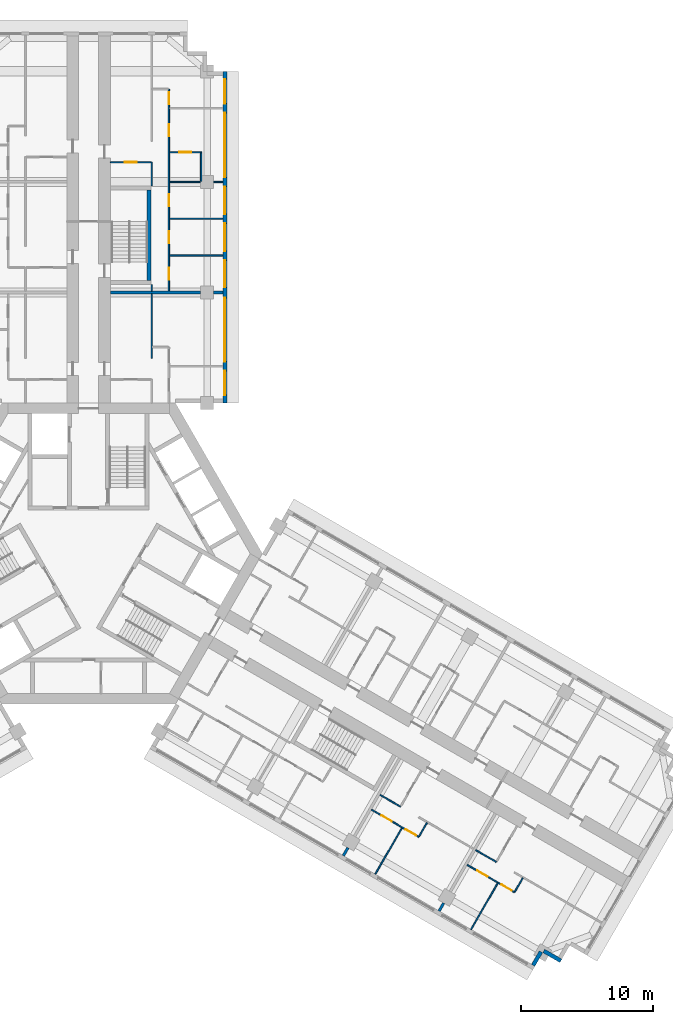
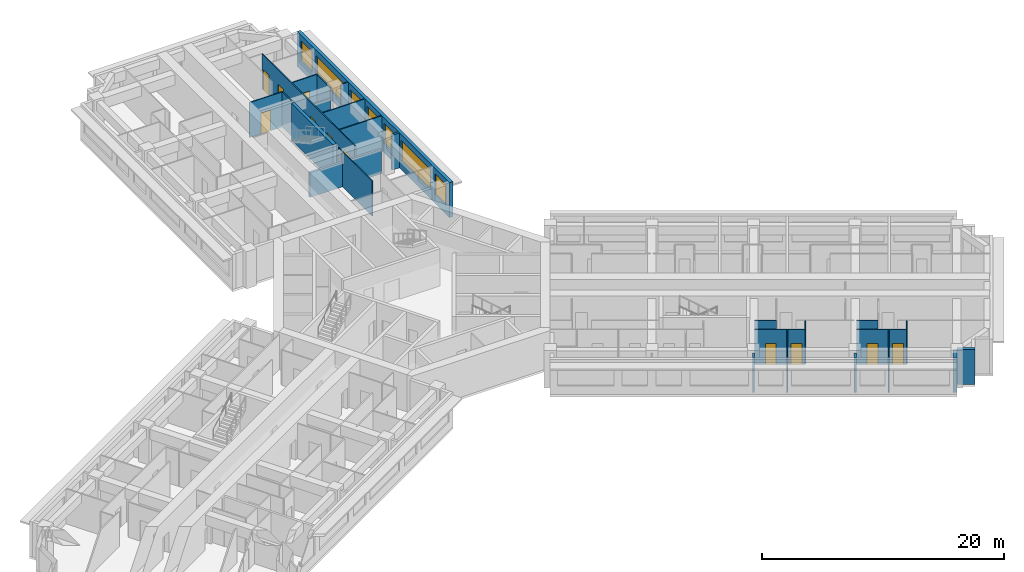
# One storey, part 10 of 14: 27 walls, 11 doors, 7 windows, 18 openings.
"""IFC4 building model written with IfcOpenShell, lengths in metres."""

from ifc_helpers import new_model, si_unit, direction, frame, frame_2d, origin, place, context, subcontext, project, spatial, rectangle, extrude, material, layer, layer_set, type_object, element, fill, save


model = new_model("IFC4")

# Units and contexts
model_context = context("Model", 3, precision=1e-05, world=origin(), true_north=direction((0.0, 1.0)))
body_context = subcontext(model_context, "Body", "Model", "MODEL_VIEW")
ifc_project = project(units=[si_unit("LENGTHUNIT", "METRE"), si_unit("AREAUNIT", "SQUARE_METRE"), si_unit("VOLUMEUNIT", "CUBIC_METRE"), si_unit("PLANEANGLEUNIT", "RADIAN"), si_unit("MASSUNIT", "GRAM", prefix="KILO")], contexts=[model_context])

# Site, building, storey
site_placement = place(None, origin())
site = spatial("IfcSite", under=ifc_project, at=site_placement, CompositionType="ELEMENT")
building_placement = place(site_placement, origin())
building = spatial("IfcBuilding", under=site, at=building_placement, Name="Impinga Residences", CompositionType="ELEMENT")
storey_placement = place(building_placement, frame((0.0, 0.0, 117.25)))
storey = spatial("IfcBuildingStorey", under=building, at=storey_placement, Name="L28", CompositionType="ELEMENT", Elevation=117.25)

# Wall, openings, windows
ifc_material_1 = material(Name="Terracotta rainscreen on blockwork", Category="masonry")
ifc_layer_1 = layer(ifc_material_1, 0.300048828125)
ifc_layer_set_1 = layer_set([ifc_layer_1], Name="EW1 external wall, terracotta rainscreen on blockwork 300")
wall_type_1 = type_object("IfcWallType", Name="EW1 external wall, terracotta rainscreen on blockwork 300", PredefinedType="SOLIDWALL", material=ifc_layer_set_1)
wall_1_placement = place(storey_placement, frame((10.35009765625, 36.631591796875, 0.0), z_axis=(0.0, 0.0, 1.0), x_axis=(0.0, -1.0, 0.0)))
wall_1 = element("IfcWall", 1, at=wall_1_placement, inside=storey, type_object=wall_type_1, Name="External wall EW1 L28", PredefinedType="SOLIDWALL", context=body_context, shape_type="SweptSolid", body=[
    extrude(rectangle(XDim=25.199951171875, YDim=0.300048828125, at=frame_2d((12.60009765625, 0.0))), origin(), (0.0, 0.0, 1.0), 3.530029296875),
])
opening_1_placement = place(wall_1_placement, frame((0.60009765625, 0.0, 0.89990234375)))
opening_1 = element("IfcOpeningElement", 2, at=opening_1_placement, cuts=wall_1, Name="Opening W15", PredefinedType="OPENING", context=body_context, shape_type="SweptSolid", body=[
    extrude(rectangle(XDim=1.85009765625, YDim=2.050048828125, at=frame_2d((0.925048828125, 1.02490234375))), frame((0.0, 0.159912109375, 0.0), z_axis=(0.0, -1.0, 0.0), x_axis=(1.0, 0.0, 0.0)), (0.0, 0.0, 1.0), 0.320068359375),
])
opening_2_placement = place(wall_1_placement, frame((3.14990234375, 0.0, 0.89990234375)))
opening_2 = element("IfcOpeningElement", 3, at=opening_2_placement, cuts=wall_1, Name="Opening W16", PredefinedType="OPENING", context=body_context, shape_type="SweptSolid", body=[
    extrude(rectangle(XDim=4.89990234375, YDim=2.050048828125, at=frame_2d((2.449951171875, 1.02490234375))), frame((0.0, 0.159912109375, 0.0), z_axis=(0.0, -1.0, 0.0), x_axis=(1.0, 0.0, 0.0)), (0.0, 0.0, 1.0), 0.320068359375),
])
opening_3_placement = place(wall_1_placement, frame((8.75, 0.0, 0.89990234375)))
opening_3 = element("IfcOpeningElement", 4, at=opening_3_placement, cuts=wall_1, Name="Opening W9", PredefinedType="OPENING", context=body_context, shape_type="SweptSolid", body=[
    extrude(rectangle(XDim=2.10009765625, YDim=2.050048828125, at=frame_2d((1.050048828125, 1.02490234375))), frame((0.0, 0.159912109375, 0.0), z_axis=(0.0, -1.0, 0.0), x_axis=(1.0, 0.0, 0.0)), (0.0, 0.0, 1.0), 0.320068359375),
])
opening_4_placement = place(wall_1_placement, frame((11.550048828125, 0.0, 0.89990234375)))
opening_4 = element("IfcOpeningElement", 5, at=opening_4_placement, cuts=wall_1, Name="Opening W9", PredefinedType="OPENING", context=body_context, shape_type="SweptSolid", body=[
    extrude(rectangle(XDim=2.10009765625, YDim=2.050048828125, at=frame_2d((1.050048828125, 1.02490234375))), frame((0.0, 0.159912109375, 0.0), z_axis=(0.0, -1.0, 0.0), x_axis=(1.0, 0.0, 0.0)), (0.0, 0.0, 1.0), 0.320068359375),
])
opening_5_placement = place(wall_1_placement, frame((14.35009765625, 0.0, 0.89990234375)))
opening_5 = element("IfcOpeningElement", 6, at=opening_5_placement, cuts=wall_1, Name="Opening W14", PredefinedType="OPENING", context=body_context, shape_type="SweptSolid", body=[
    extrude(rectangle(XDim=2.050048828125, YDim=2.050048828125, at=frame_2d((1.02490234375, 1.02490234375))), frame((0.0, 0.159912109375, 0.0), z_axis=(0.0, -1.0, 0.0), x_axis=(1.0, 0.0, 0.0)), (0.0, 0.0, 1.0), 0.320068359375),
])
opening_6_placement = place(wall_1_placement, frame((17.199951171875, 0.0, 0.89990234375)))
opening_6 = element("IfcOpeningElement", 7, at=opening_6_placement, cuts=wall_1, Name="Opening W6", PredefinedType="OPENING", context=body_context, shape_type="SweptSolid", body=[
    extrude(rectangle(XDim=4.85009765625, YDim=2.050048828125, at=frame_2d((2.425048828125, 1.02490234375))), frame((0.0, 0.159912109375, 0.0), z_axis=(0.0, -1.0, 0.0), x_axis=(1.0, 0.0, 0.0)), (0.0, 0.0, 1.0), 0.320068359375),
])
opening_7_placement = place(wall_1_placement, frame((22.75, 0.0, 0.89990234375)))
opening_7 = element("IfcOpeningElement", 8, at=opening_7_placement, cuts=wall_1, Name="Opening W15", PredefinedType="OPENING", context=body_context, shape_type="SweptSolid", body=[
    extrude(rectangle(XDim=1.85009765625, YDim=2.050048828125, at=frame_2d((0.925048828125, 1.02490234375))), frame((0.0, 0.159912109375, 0.0), z_axis=(0.0, -1.0, 0.0), x_axis=(1.0, 0.0, 0.0)), (0.0, 0.0, 1.0), 0.320068359375),
])
ifc_material_2 = material(Name="Aluminium window, clear double glazing", Category="aluminium")
window_type_1 = type_object("IfcWindowType", Name="W14 ribbon window 2050x2050", PartitioningType="SINGLE_PANEL", PredefinedType="WINDOW", material=ifc_material_2)
window_1_placement = place(opening_5_placement, origin())
window_1 = element("IfcWindow", 9, at=window_1_placement, inside=storey, type_object=window_type_1, Name="Window L28", OverallHeight=2.050048828125, OverallWidth=2.050048828125, PartitioningType="SINGLE_PANEL", PredefinedType="WINDOW", context=body_context, shape_type="SweptSolid", body=[
    extrude(rectangle(XDim=2.050048828125, YDim=2.050048828125, at=frame_2d((1.02490234375, 1.02490234375))), frame((0.0, 0.030029296875, 0.0), z_axis=(0.0, -1.0, 0.0), x_axis=(1.0, 0.0, 0.0)), (0.0, 0.0, 1.0), 0.06005859375),
])
fill(opening_5, window_1)
window_type_2 = type_object("IfcWindowType", Name="W15 ribbon window 1850x2050", PartitioningType="SINGLE_PANEL", PredefinedType="WINDOW", material=ifc_material_2)
window_2_placement = place(opening_1_placement, origin())
window_2 = element("IfcWindow", 10, at=window_2_placement, inside=storey, type_object=window_type_2, Name="Window L28", OverallHeight=2.050048828125, OverallWidth=1.85009765625, PartitioningType="SINGLE_PANEL", PredefinedType="WINDOW", context=body_context, shape_type="SweptSolid", body=[
    extrude(rectangle(XDim=1.85009765625, YDim=2.050048828125, at=frame_2d((0.925048828125, 1.02490234375))), frame((0.0, 0.030029296875, 0.0), z_axis=(0.0, -1.0, 0.0), x_axis=(1.0, 0.0, 0.0)), (0.0, 0.0, 1.0), 0.06005859375),
])
fill(opening_1, window_2)
window_3_placement = place(opening_7_placement, origin())
window_3 = element("IfcWindow", 11, at=window_3_placement, inside=storey, type_object=window_type_2, Name="Window L28", OverallHeight=2.050048828125, OverallWidth=1.85009765625, PartitioningType="SINGLE_PANEL", PredefinedType="WINDOW", context=body_context, shape_type="SweptSolid", body=[
    extrude(rectangle(XDim=1.85009765625, YDim=2.050048828125, at=frame_2d((0.925048828125, 1.02490234375))), frame((0.0, 0.030029296875, 0.0), z_axis=(0.0, -1.0, 0.0), x_axis=(1.0, 0.0, 0.0)), (0.0, 0.0, 1.0), 0.06005859375),
])
fill(opening_7, window_3)
window_type_3 = type_object("IfcWindowType", Name="W16 ribbon window 4900x2050", PartitioningType="SINGLE_PANEL", PredefinedType="WINDOW", material=ifc_material_2)
window_4_placement = place(opening_2_placement, origin())
window_4 = element("IfcWindow", 12, at=window_4_placement, inside=storey, type_object=window_type_3, Name="Window L28", OverallHeight=2.050048828125, OverallWidth=4.89990234375, PartitioningType="SINGLE_PANEL", PredefinedType="WINDOW", context=body_context, shape_type="SweptSolid", body=[
    extrude(rectangle(XDim=4.89990234375, YDim=2.050048828125, at=frame_2d((2.449951171875, 1.02490234375))), frame((0.0, 0.030029296875, 0.0), z_axis=(0.0, -1.0, 0.0), x_axis=(1.0, 0.0, 0.0)), (0.0, 0.0, 1.0), 0.06005859375),
])
fill(opening_2, window_4)
window_type_4 = type_object("IfcWindowType", Name="W6 ribbon window 4850x2050", PartitioningType="SINGLE_PANEL", PredefinedType="WINDOW", material=ifc_material_2)
window_5_placement = place(opening_6_placement, origin())
window_5 = element("IfcWindow", 13, at=window_5_placement, inside=storey, type_object=window_type_4, Name="Window L28", OverallHeight=2.050048828125, OverallWidth=4.85009765625, PartitioningType="SINGLE_PANEL", PredefinedType="WINDOW", context=body_context, shape_type="SweptSolid", body=[
    extrude(rectangle(XDim=4.85009765625, YDim=2.050048828125, at=frame_2d((2.425048828125, 1.02490234375))), frame((0.0, 0.030029296875, 0.0), z_axis=(0.0, -1.0, 0.0), x_axis=(1.0, 0.0, 0.0)), (0.0, 0.0, 1.0), 0.06005859375),
])
fill(opening_6, window_5)
window_type_5 = type_object("IfcWindowType", Name="W9 ribbon window 2100x2050", PartitioningType="SINGLE_PANEL", PredefinedType="WINDOW", material=ifc_material_2)
window_6_placement = place(opening_3_placement, origin())
window_6 = element("IfcWindow", 14, at=window_6_placement, inside=storey, type_object=window_type_5, Name="Window L28", OverallHeight=2.050048828125, OverallWidth=2.10009765625, PartitioningType="SINGLE_PANEL", PredefinedType="WINDOW", context=body_context, shape_type="SweptSolid", body=[
    extrude(rectangle(XDim=2.10009765625, YDim=2.050048828125, at=frame_2d((1.050048828125, 1.02490234375))), frame((0.0, 0.030029296875, 0.0), z_axis=(0.0, -1.0, 0.0), x_axis=(1.0, 0.0, 0.0)), (0.0, 0.0, 1.0), 0.06005859375),
])
fill(opening_3, window_6)
window_7_placement = place(opening_4_placement, origin())
window_7 = element("IfcWindow", 15, at=window_7_placement, inside=storey, type_object=window_type_5, Name="Window L28", OverallHeight=2.050048828125, OverallWidth=2.10009765625, PartitioningType="SINGLE_PANEL", PredefinedType="WINDOW", context=body_context, shape_type="SweptSolid", body=[
    extrude(rectangle(XDim=2.10009765625, YDim=2.050048828125, at=frame_2d((1.050048828125, 1.02490234375))), frame((0.0, 0.030029296875, 0.0), z_axis=(0.0, -1.0, 0.0), x_axis=(1.0, 0.0, 0.0)), (0.0, 0.0, 1.0), 0.06005859375),
])
fill(opening_4, window_7)

# Walls
wall_2_placement = place(storey_placement, frame((35.87255859375, -30.93017578125, 0.0), z_axis=(0.0, 0.0, 1.0), x_axis=(-0.866031096941, 0.499990139034, 0.0)))
element("IfcWall", 16, at=wall_2_placement, inside=storey, type_object=wall_type_1, Name="External wall EW1 L28", PredefinedType="SOLIDWALL", context=body_context, shape_type="SweptSolid", body=[
    extrude(rectangle(XDim=1.5, YDim=0.300048828125, at=frame_2d((0.75, 0.0))), origin(), (0.0, 0.0, 1.0), 3.530029296875),
])
wall_3_placement = place(storey_placement, frame((34.365966796875, -30.2392578125, 0.0), z_axis=(0.0, 0.0, 1.0), x_axis=(-0.499940577336, -0.866059708757, 0.0)))
element("IfcWall", 17, at=wall_3_placement, inside=storey, type_object=wall_type_1, Name="External wall EW1 L28", PredefinedType="SOLIDWALL", context=body_context, shape_type="SweptSolid", body=[
    extrude(rectangle(XDim=1.195068359375, YDim=0.300048828125, at=frame_2d((0.59765625, 0.0))), origin(), (0.0, 0.0, 1.0), 3.530029296875),
])
ifc_material_3 = material(Name="Gypsum board on steel studs", Category="steel")
ifc_layer_2 = layer(ifc_material_3, 0.10009765625)
ifc_layer_set_2 = layer_set([ifc_layer_2], Name="Gypsum board on steel studs")
wall_type_2 = type_object("IfcWallType", Name="IP1 partition 100", PredefinedType="PARTITIONING", material=ifc_layer_set_2)
wall_4_placement = place(storey_placement, frame((4.800048828125, 14.83154296875, 0.0), z_axis=(0.0, 0.0, 1.0), x_axis=(0.0, 1.0, 0.0)))
element("IfcWall", 18, at=wall_4_placement, inside=storey, type_object=wall_type_2, Name="Partition L28-NF1:DIV1", PredefinedType="PARTITIONING", context=body_context, shape_type="SweptSolid", body=[
    extrude(rectangle(XDim=4.89990234375, YDim=0.10009765625, at=frame_2d((2.449951171875, 0.0))), origin(), (0.0, 0.0, 1.0), 3.530029296875),
])
wall_5_placement = place(storey_placement, frame((4.800048828125, 19.931640625, 0.0), z_axis=(0.0, 0.0, 1.0), x_axis=(0.0, 1.0, 0.0)))
element("IfcWall", 19, at=wall_5_placement, inside=storey, type_object=wall_type_2, Name="Partition L28-NF2:DIV0", PredefinedType="PARTITIONING", context=body_context, shape_type="SweptSolid", body=[
    extrude(rectangle(XDim=0.5, YDim=0.10009765625, at=frame_2d((0.25, 0.0))), origin(), (0.0, 0.0, 1.0), 3.530029296875),
])
wall_6_placement = place(storey_placement, frame((4.800048828125, 27.931640625, 0.0), z_axis=(0.0, 0.0, 1.0), x_axis=(0.0, 1.0, 0.0)))
element("IfcWall", 20, at=wall_6_placement, inside=storey, type_object=wall_type_2, Name="Partition L28-NF2:DIV1", PredefinedType="PARTITIONING", context=body_context, shape_type="SweptSolid", body=[
    extrude(rectangle(XDim=1.7998046875, YDim=0.10009765625, at=frame_2d((0.89990234375, 0.0))), origin(), (0.0, 0.0, 1.0), 3.530029296875),
])

# Wall, openings, doors
wall_7_placement = place(storey_placement, frame((6.10009765625, 19.931640625, 0.0), z_axis=(0.0, 0.0, 1.0), x_axis=(0.0, 1.0, 0.0)))
wall_7 = element("IfcWall", 21, at=wall_7_placement, inside=storey, type_object=wall_type_2, Name="Partition L28-NF2:STRIP", PredefinedType="PARTITIONING", context=body_context, shape_type="SweptSolid", body=[
    extrude(rectangle(XDim=15.349853515625, YDim=0.10009765625, at=frame_2d((7.6748046875, 0.0))), origin(), (0.0, 0.0, 1.0), 3.530029296875),
])
opening_8_placement = place(wall_7_placement, frame((0.875, 0.0, 0.0)))
opening_8 = element("IfcOpeningElement", 22, at=opening_8_placement, cuts=wall_7, Name="Opening D2", PredefinedType="OPENING", context=body_context, shape_type="SweptSolid", body=[
    extrude(rectangle(XDim=0.89990234375, YDim=2.10009765625, at=frame_2d((0.449951171875, 1.050048828125))), frame((0.0, 0.06005859375, 0.0), z_axis=(0.0, -1.0, 0.0), x_axis=(1.0, 0.0, 0.0)), (0.0, 0.0, 1.0), 0.1201171875),
])
opening_9_placement = place(wall_7_placement, frame((3.64990234375, 0.0, 0.0)))
opening_9 = element("IfcOpeningElement", 23, at=opening_9_placement, cuts=wall_7, Name="Opening D2", PredefinedType="OPENING", context=body_context, shape_type="SweptSolid", body=[
    extrude(rectangle(XDim=0.89990234375, YDim=2.10009765625, at=frame_2d((0.449951171875, 1.050048828125))), frame((0.0, 0.06005859375, 0.0), z_axis=(0.0, -1.0, 0.0), x_axis=(1.0, 0.0, 0.0)), (0.0, 0.0, 1.0), 0.1201171875),
])
opening_10_placement = place(wall_7_placement, frame((6.449951171875, 0.0, 0.0)))
opening_10 = element("IfcOpeningElement", 24, at=opening_10_placement, cuts=wall_7, Name="Opening D2", PredefinedType="OPENING", context=body_context, shape_type="SweptSolid", body=[
    extrude(rectangle(XDim=0.89990234375, YDim=2.10009765625, at=frame_2d((0.449951171875, 1.050048828125))), frame((0.0, 0.06005859375, 0.0), z_axis=(0.0, -1.0, 0.0), x_axis=(1.0, 0.0, 0.0)), (0.0, 0.0, 1.0), 0.1201171875),
])
opening_11_placement = place(wall_7_placement, frame((11.77490234375, 0.0, 0.0)))
opening_11 = element("IfcOpeningElement", 25, at=opening_11_placement, cuts=wall_7, Name="Opening D2", PredefinedType="OPENING", context=body_context, shape_type="SweptSolid", body=[
    extrude(rectangle(XDim=0.89990234375, YDim=2.10009765625, at=frame_2d((0.449951171875, 1.050048828125))), frame((0.0, 0.06005859375, 0.0), z_axis=(0.0, -1.0, 0.0), x_axis=(1.0, 0.0, 0.0)), (0.0, 0.0, 1.0), 0.1201171875),
])
opening_12_placement = place(wall_7_placement, frame((14.199951171875, 0.0, 0.0)))
opening_12 = element("IfcOpeningElement", 26, at=opening_12_placement, cuts=wall_7, Name="Opening D2", PredefinedType="OPENING", context=body_context, shape_type="SweptSolid", body=[
    extrude(rectangle(XDim=0.89990234375, YDim=2.10009765625, at=frame_2d((0.449951171875, 1.050048828125))), frame((0.0, 0.06005859375, 0.0), z_axis=(0.0, -1.0, 0.0), x_axis=(1.0, 0.0, 0.0)), (0.0, 0.0, 1.0), 0.1201171875),
])
ifc_material_4 = material(Name="Timber door set", Category="wood")
door_type = type_object("IfcDoorType", Name="D2 internal door 900x2100", OperationType="SINGLE_SWING_LEFT", PredefinedType="DOOR", material=ifc_material_4)
door_1_placement = place(opening_8_placement, origin())
door_1 = element("IfcDoor", 27, at=door_1_placement, inside=storey, type_object=door_type, Name="Apartment L28-NF2 room door", OperationType="SINGLE_SWING_LEFT", OverallHeight=2.10009765625, OverallWidth=0.89990234375, PredefinedType="DOOR", context=body_context, shape_type="SweptSolid", body=[
    extrude(rectangle(XDim=0.89990234375, YDim=2.10009765625, at=frame_2d((0.449951171875, 1.050048828125))), frame((0.0, 0.02490234375, 0.0), z_axis=(0.0, -1.0, 0.0), x_axis=(1.0, 0.0, 0.0)), (0.0, 0.0, 1.0), 0.050048828125),
])
fill(opening_8, door_1)
door_2_placement = place(opening_9_placement, origin())
door_2 = element("IfcDoor", 28, at=door_2_placement, inside=storey, type_object=door_type, Name="Apartment L28-NF2 room door", OperationType="SINGLE_SWING_LEFT", OverallHeight=2.10009765625, OverallWidth=0.89990234375, PredefinedType="DOOR", context=body_context, shape_type="SweptSolid", body=[
    extrude(rectangle(XDim=0.89990234375, YDim=2.10009765625, at=frame_2d((0.449951171875, 1.050048828125))), frame((0.0, 0.02490234375, 0.0), z_axis=(0.0, -1.0, 0.0), x_axis=(1.0, 0.0, 0.0)), (0.0, 0.0, 1.0), 0.050048828125),
])
fill(opening_9, door_2)
door_3_placement = place(opening_10_placement, origin())
door_3 = element("IfcDoor", 29, at=door_3_placement, inside=storey, type_object=door_type, Name="Apartment L28-NF2 room door", OperationType="SINGLE_SWING_LEFT", OverallHeight=2.10009765625, OverallWidth=0.89990234375, PredefinedType="DOOR", context=body_context, shape_type="SweptSolid", body=[
    extrude(rectangle(XDim=0.89990234375, YDim=2.10009765625, at=frame_2d((0.449951171875, 1.050048828125))), frame((0.0, 0.02490234375, 0.0), z_axis=(0.0, -1.0, 0.0), x_axis=(1.0, 0.0, 0.0)), (0.0, 0.0, 1.0), 0.050048828125),
])
fill(opening_10, door_3)
door_4_placement = place(opening_11_placement, origin())
door_4 = element("IfcDoor", 30, at=door_4_placement, inside=storey, type_object=door_type, Name="Apartment L28-NF2 room door", OperationType="SINGLE_SWING_RIGHT", OverallHeight=2.10009765625, OverallWidth=0.89990234375, PredefinedType="DOOR", context=body_context, shape_type="SweptSolid", body=[
    extrude(rectangle(XDim=0.89990234375, YDim=2.10009765625, at=frame_2d((0.449951171875, 1.050048828125))), frame((0.0, 0.02490234375, 0.0), z_axis=(0.0, -1.0, 0.0), x_axis=(1.0, 0.0, 0.0)), (0.0, 0.0, 1.0), 0.050048828125),
])
fill(opening_11, door_4)
door_5_placement = place(opening_12_placement, origin())
door_5 = element("IfcDoor", 31, at=door_5_placement, inside=storey, type_object=door_type, Name="Apartment L28-NF2 room door", OperationType="SINGLE_SWING_RIGHT", OverallHeight=2.10009765625, OverallWidth=0.89990234375, PredefinedType="DOOR", context=body_context, shape_type="SweptSolid", body=[
    extrude(rectangle(XDim=0.89990234375, YDim=2.10009765625, at=frame_2d((0.449951171875, 1.050048828125))), frame((0.0, 0.02490234375, 0.0), z_axis=(0.0, -1.0, 0.0), x_axis=(1.0, 0.0, 0.0)), (0.0, 0.0, 1.0), 0.050048828125),
])
fill(opening_12, door_5)

# Wall, opening, door
wall_8_placement = place(storey_placement, frame((1.64990234375, 29.7314453125, 0.0), z_axis=(0.0, 0.0, 1.0), x_axis=(1.0, 0.0, 0.0)))
wall_8 = element("IfcWall", 32, at=wall_8_placement, inside=storey, type_object=wall_type_2, Name="Partition L28-NF2:IB1", PredefinedType="PARTITIONING", context=body_context, shape_type="SweptSolid", body=[
    extrude(rectangle(XDim=3.10009765625, YDim=0.10009765625, at=frame_2d((1.550048828125, 0.0))), origin(), (0.0, 0.0, 1.0), 3.530029296875),
])
opening_13_placement = place(wall_8_placement, frame((1.10009765625, 0.0, 0.0)))
opening_13 = element("IfcOpeningElement", 33, at=opening_13_placement, cuts=wall_8, Name="Opening D2", PredefinedType="OPENING", context=body_context, shape_type="SweptSolid", body=[
    extrude(rectangle(XDim=0.89990234375, YDim=2.10009765625, at=frame_2d((0.449951171875, 1.050048828125))), frame((0.0, 0.06005859375, 0.0), z_axis=(0.0, -1.0, 0.0), x_axis=(1.0, 0.0, 0.0)), (0.0, 0.0, 1.0), 0.1201171875),
])
door_6_placement = place(opening_13_placement, origin())
door_6 = element("IfcDoor", 34, at=door_6_placement, inside=storey, type_object=door_type, Name="Apartment L28-NF2 bathroom door", OperationType="SINGLE_SWING_LEFT", OverallHeight=2.10009765625, OverallWidth=0.89990234375, PredefinedType="DOOR", context=body_context, shape_type="SweptSolid", body=[
    extrude(rectangle(XDim=0.89990234375, YDim=2.10009765625, at=frame_2d((0.449951171875, 1.050048828125))), frame((0.0, 0.02490234375, 0.0), z_axis=(0.0, -1.0, 0.0), x_axis=(1.0, 0.0, 0.0)), (0.0, 0.0, 1.0), 0.050048828125),
])
fill(opening_13, door_6)

# Walls
for number, where, z_axis, x_axis, name in (
    (35, (6.14990234375, 22.631591796875, 0.0), (0.0, 0.0, 1.0), (1.0, 0.0, 0.0), "Partition L28-NF2:OB1"),
    (36, (6.14990234375, 25.431640625, 0.0), (0.0, 0.0, 1.0), (1.0, 0.0, 0.0), "Partition L28-NF2:OB2"),
):
    element("IfcWall", number, at=place(storey_placement, frame(where, z_axis=z_axis, x_axis=x_axis)), inside=storey, type_object=wall_type_2, Name=name, PredefinedType="PARTITIONING", context=body_context, shape_type="SweptSolid", body=[
        extrude(rectangle(XDim=4.050048828125, YDim=0.10009765625, at=frame_2d((2.02490234375, 0.0))), origin(), (0.0, 0.0, 1.0), 3.530029296875),
    ])
wall_9_placement = place(storey_placement, frame((6.14990234375, 28.2314453125, 0.0), z_axis=(0.0, 0.0, 1.0), x_axis=(1.0, 0.0, 0.0)))
element("IfcWall", 37, at=wall_9_placement, inside=storey, type_object=wall_type_2, Name="Partition L28-NF2:OB3", PredefinedType="PARTITIONING", context=body_context, shape_type="SweptSolid", body=[
    extrude(rectangle(XDim=2.35009765625, YDim=0.10009765625, at=frame_2d((1.175048828125, 0.0))), origin(), (0.0, 0.0, 1.0), 2.47998046875),
])
wall_10_placement = place(storey_placement, frame((9.5, 28.2314453125, 0.0), z_axis=(0.0, 0.0, 1.0), x_axis=(1.0, 0.0, 0.0)))
element("IfcWall", 38, at=wall_10_placement, inside=storey, type_object=wall_type_2, Name="Partition L28-NF2:OB3b", PredefinedType="PARTITIONING", context=body_context, shape_type="SweptSolid", body=[
    extrude(rectangle(XDim=0.699951171875, YDim=0.10009765625, at=frame_2d((0.35009765625, 0.0))), origin(), (0.0, 0.0, 1.0), 3.530029296875),
])

# Wall, opening, door
wall_11_placement = place(storey_placement, frame((6.14990234375, 30.4814453125, 0.0), z_axis=(0.0, 0.0, 1.0), x_axis=(1.0, 0.0, 0.0)))
wall_11 = element("IfcWall", 39, at=wall_11_placement, inside=storey, type_object=wall_type_2, Name="Partition L28-NF2:EN1", PredefinedType="PARTITIONING", context=body_context, shape_type="SweptSolid", body=[
    extrude(rectangle(XDim=2.4501953125, YDim=0.10009765625, at=frame_2d((1.22509765625, 0.0))), origin(), (0.0, 0.0, 1.0), 3.530029296875),
])
opening_14_placement = place(wall_11_placement, frame((0.75, 0.0, 0.0)))
opening_14 = element("IfcOpeningElement", 40, at=opening_14_placement, cuts=wall_11, Name="Opening D2", PredefinedType="OPENING", context=body_context, shape_type="SweptSolid", body=[
    extrude(rectangle(XDim=0.89990234375, YDim=2.10009765625, at=frame_2d((0.449951171875, 1.050048828125))), frame((0.0, 0.06005859375, 0.0), z_axis=(0.0, -1.0, 0.0), x_axis=(1.0, 0.0, 0.0)), (0.0, 0.0, 1.0), 0.1201171875),
])
door_7_placement = place(opening_14_placement, origin())
door_7 = element("IfcDoor", 41, at=door_7_placement, inside=storey, type_object=door_type, Name="Apartment L28-NF2 en-suite door", OperationType="SINGLE_SWING_LEFT", OverallHeight=2.10009765625, OverallWidth=0.89990234375, PredefinedType="DOOR", context=body_context, shape_type="SweptSolid", body=[
    extrude(rectangle(XDim=0.89990234375, YDim=2.10009765625, at=frame_2d((0.449951171875, 1.050048828125))), frame((0.0, 0.02490234375, 0.0), z_axis=(0.0, -1.0, 0.0), x_axis=(1.0, 0.0, 0.0)), (0.0, 0.0, 1.0), 0.050048828125),
])
fill(opening_14, door_7)

# Walls
wall_12_placement = place(storey_placement, frame((8.550048828125, 28.281494140625, 0.0), z_axis=(0.0, 0.0, 1.0), x_axis=(0.0, 1.0, 0.0)))
element("IfcWall", 42, at=wall_12_placement, inside=storey, type_object=wall_type_2, Name="Partition L28-NF2:EN2", PredefinedType="PARTITIONING", context=body_context, shape_type="SweptSolid", body=[
    extrude(rectangle(XDim=2.150146484375, YDim=0.10009765625, at=frame_2d((1.0751953125, 0.0))), origin(), (0.0, 0.0, 1.0), 3.530029296875),
])
wall_13_placement = place(storey_placement, frame((22.1357421875, -18.32275390625, 0.0), z_axis=(0.0, 0.0, 1.0), x_axis=(0.866047807691, -0.499961193289, 0.0)))
element("IfcWall", 43, at=wall_13_placement, inside=storey, type_object=wall_type_2, Name="Partition L28-EF2:DIV0", PredefinedType="PARTITIONING", context=body_context, shape_type="SweptSolid", body=[
    extrude(rectangle(XDim=1.800048828125, YDim=0.10009765625, at=frame_2d((0.89990234375, 0.0))), origin(), (0.0, 0.0, 1.0), 3.530029296875),
])

# Wall, openings, doors
wall_14_placement = place(storey_placement, frame((21.48583984375, -19.448486328125, 0.0), z_axis=(0.0, 0.0, 1.0), x_axis=(0.86602981871, -0.499992353047, 0.0)))
wall_14 = element("IfcWall", 44, at=wall_14_placement, inside=storey, type_object=wall_type_2, Name="Partition L28-EF2:STRIP", PredefinedType="PARTITIONING", context=body_context, shape_type="SweptSolid", body=[
    extrude(rectangle(XDim=4.14990234375, YDim=0.10009765625, at=frame_2d((2.074951171875, 0.0))), origin(), (0.0, 0.0, 1.0), 3.530029296875),
])
opening_15_placement = place(wall_14_placement, frame((0.875, 0.0, 0.0)))
opening_15 = element("IfcOpeningElement", 45, at=opening_15_placement, cuts=wall_14, Name="Opening D2", PredefinedType="OPENING", context=body_context, shape_type="SweptSolid", body=[
    extrude(rectangle(XDim=0.89990234375, YDim=2.10009765625, at=frame_2d((0.449951171875, 1.050048828125))), frame((0.0, 0.06005859375, 0.0), z_axis=(0.0, -1.0, 0.0), x_axis=(1.0, 0.0, 0.0)), (0.0, 0.0, 1.0), 0.1201171875),
])
opening_16_placement = place(wall_14_placement, frame((3.0, 0.0, 0.0)))
opening_16 = element("IfcOpeningElement", 46, at=opening_16_placement, cuts=wall_14, Name="Opening D2", PredefinedType="OPENING", context=body_context, shape_type="SweptSolid", body=[
    extrude(rectangle(XDim=0.89990234375, YDim=2.10009765625, at=frame_2d((0.449951171875, 1.050048828125))), frame((0.0, 0.06005859375, 0.0), z_axis=(0.0, -1.0, 0.0), x_axis=(1.0, 0.0, 0.0)), (0.0, 0.0, 1.0), 0.1201171875),
])
door_8_placement = place(opening_15_placement, origin())
door_8 = element("IfcDoor", 47, at=door_8_placement, inside=storey, type_object=door_type, Name="Apartment L28-EF2 room door", OperationType="SINGLE_SWING_LEFT", OverallHeight=2.10009765625, OverallWidth=0.89990234375, PredefinedType="DOOR", context=body_context, shape_type="SweptSolid", body=[
    extrude(rectangle(XDim=0.89990234375, YDim=2.10009765625, at=frame_2d((0.449951171875, 1.050048828125))), frame((0.0, 0.02490234375, 0.0), z_axis=(0.0, -1.0, 0.0), x_axis=(1.0, 0.0, 0.0)), (0.0, 0.0, 1.0), 0.050048828125),
])
fill(opening_15, door_8)
door_9_placement = place(opening_16_placement, origin())
door_9 = element("IfcDoor", 48, at=door_9_placement, inside=storey, type_object=door_type, Name="Apartment L28-EF2 room door", OperationType="SINGLE_SWING_RIGHT", OverallHeight=2.10009765625, OverallWidth=0.89990234375, PredefinedType="DOOR", context=body_context, shape_type="SweptSolid", body=[
    extrude(rectangle(XDim=0.89990234375, YDim=2.10009765625, at=frame_2d((0.449951171875, 1.050048828125))), frame((0.0, 0.02490234375, 0.0), z_axis=(0.0, -1.0, 0.0), x_axis=(1.0, 0.0, 0.0)), (0.0, 0.0, 1.0), 0.050048828125),
])
fill(opening_16, door_9)

# Walls
wall_15_placement = place(storey_placement, frame((25.704833984375, -20.44091796875, 0.0), z_axis=(0.0, 0.0, 1.0), x_axis=(-0.500033551112, -0.866006032174, 0.0)))
element("IfcWall", 49, at=wall_15_placement, inside=storey, type_object=wall_type_2, Name="Partition L28-EF2:SE1", PredefinedType="PARTITIONING", context=body_context, shape_type="SweptSolid", body=[
    extrude(rectangle(XDim=1.2001953125, YDim=0.10009765625, at=frame_2d((0.60009765625, 0.0))), origin(), (0.0, 0.0, 1.0), 3.530029296875),
])
wall_16_placement = place(storey_placement, frame((23.799072265625, -20.841796875, 0.0), z_axis=(0.0, 0.0, 1.0), x_axis=(-0.499990325971, -0.866030989016, 0.0)))
element("IfcWall", 50, at=wall_16_placement, inside=storey, type_object=wall_type_2, Name="Partition L28-EF2:OB1", PredefinedType="PARTITIONING", context=body_context, shape_type="SweptSolid", body=[
    extrude(rectangle(XDim=4.0498046875, YDim=0.10009765625, at=frame_2d((2.02490234375, 0.0))), origin(), (0.0, 0.0, 1.0), 3.530029296875),
])
wall_17_placement = place(storey_placement, frame((29.410400390625, -22.522705078125, 0.0), z_axis=(0.0, 0.0, 1.0), x_axis=(0.866047807691, -0.499961193289, 0.0)))
element("IfcWall", 51, at=wall_17_placement, inside=storey, type_object=wall_type_2, Name="Partition L28-EF3:DIV0", PredefinedType="PARTITIONING", context=body_context, shape_type="SweptSolid", body=[
    extrude(rectangle(XDim=1.800048828125, YDim=0.10009765625, at=frame_2d((0.89990234375, 0.0))), origin(), (0.0, 0.0, 1.0), 3.530029296875),
])

# Wall, openings, doors
wall_18_placement = place(storey_placement, frame((28.760498046875, -23.6484375, 0.0), z_axis=(0.0, 0.0, 1.0), x_axis=(0.866004344652, -0.500036473714, 0.0)))
wall_18 = element("IfcWall", 52, at=wall_18_placement, inside=storey, type_object=wall_type_2, Name="Partition L28-EF3:STRIP", PredefinedType="PARTITIONING", context=body_context, shape_type="SweptSolid", body=[
    extrude(rectangle(XDim=4.150146484375, YDim=0.10009765625, at=frame_2d((2.0751953125, 0.0))), origin(), (0.0, 0.0, 1.0), 3.530029296875),
])
opening_17_placement = place(wall_18_placement, frame((0.875, 0.0, 0.0)))
opening_17 = element("IfcOpeningElement", 53, at=opening_17_placement, cuts=wall_18, Name="Opening D2", PredefinedType="OPENING", context=body_context, shape_type="SweptSolid", body=[
    extrude(rectangle(XDim=0.89990234375, YDim=2.10009765625, at=frame_2d((0.449951171875, 1.050048828125))), frame((0.0, 0.06005859375, 0.0), z_axis=(0.0, -1.0, 0.0), x_axis=(1.0, 0.0, 0.0)), (0.0, 0.0, 1.0), 0.1201171875),
])
opening_18_placement = place(wall_18_placement, frame((3.0, 0.0, 0.0)))
opening_18 = element("IfcOpeningElement", 54, at=opening_18_placement, cuts=wall_18, Name="Opening D2", PredefinedType="OPENING", context=body_context, shape_type="SweptSolid", body=[
    extrude(rectangle(XDim=0.89990234375, YDim=2.10009765625, at=frame_2d((0.449951171875, 1.050048828125))), frame((0.0, 0.06005859375, 0.0), z_axis=(0.0, -1.0, 0.0), x_axis=(1.0, 0.0, 0.0)), (0.0, 0.0, 1.0), 0.1201171875),
])
door_10_placement = place(opening_17_placement, origin())
door_10 = element("IfcDoor", 55, at=door_10_placement, inside=storey, type_object=door_type, Name="Apartment L28-EF3 room door", OperationType="SINGLE_SWING_LEFT", OverallHeight=2.10009765625, OverallWidth=0.89990234375, PredefinedType="DOOR", context=body_context, shape_type="SweptSolid", body=[
    extrude(rectangle(XDim=0.89990234375, YDim=2.10009765625, at=frame_2d((0.449951171875, 1.050048828125))), frame((0.0, 0.02490234375, 0.0), z_axis=(0.0, -1.0, 0.0), x_axis=(1.0, 0.0, 0.0)), (0.0, 0.0, 1.0), 0.050048828125),
])
fill(opening_17, door_10)
door_11_placement = place(opening_18_placement, origin())
door_11 = element("IfcDoor", 56, at=door_11_placement, inside=storey, type_object=door_type, Name="Apartment L28-EF3 room door", OperationType="SINGLE_SWING_RIGHT", OverallHeight=2.10009765625, OverallWidth=0.89990234375, PredefinedType="DOOR", context=body_context, shape_type="SweptSolid", body=[
    extrude(rectangle(XDim=0.89990234375, YDim=2.10009765625, at=frame_2d((0.449951171875, 1.050048828125))), frame((0.0, 0.02490234375, 0.0), z_axis=(0.0, -1.0, 0.0), x_axis=(1.0, 0.0, 0.0)), (0.0, 0.0, 1.0), 0.050048828125),
])
fill(opening_18, door_11)

# Walls
wall_19_placement = place(storey_placement, frame((32.9794921875, -24.640869140625, 0.0), z_axis=(0.0, 0.0, 1.0), x_axis=(-0.500033551112, -0.866006032174, 0.0)))
element("IfcWall", 57, at=wall_19_placement, inside=storey, type_object=wall_type_2, Name="Partition L28-EF3:SE1", PredefinedType="PARTITIONING", context=body_context, shape_type="SweptSolid", body=[
    extrude(rectangle(XDim=1.2001953125, YDim=0.10009765625, at=frame_2d((0.60009765625, 0.0))), origin(), (0.0, 0.0, 1.0), 3.530029296875),
])
wall_20_placement = place(storey_placement, frame((31.07373046875, -25.041748046875, 0.0), z_axis=(0.0, 0.0, 1.0), x_axis=(-0.499964223975, -0.866046058097, 0.0)))
element("IfcWall", 58, at=wall_20_placement, inside=storey, type_object=wall_type_2, Name="Partition L28-EF3:OB1", PredefinedType="PARTITIONING", context=body_context, shape_type="SweptSolid", body=[
    extrude(rectangle(XDim=4.050048828125, YDim=0.10009765625, at=frame_2d((2.02490234375, 0.0))), origin(), (0.0, 0.0, 1.0), 3.530029296875),
])
ifc_material_5 = material(Name="Concrete blockwork", Category="masonry")
ifc_layer_3 = layer(ifc_material_5, 0.199951171875)
ifc_layer_set_3 = layer_set([ifc_layer_3], Name="PW1 party wall between apartments 200")
wall_type_3 = type_object("IfcWallType", Name="PW1 party wall between apartments 200", PredefinedType="SOLIDWALL", material=ifc_layer_set_3)
wall_21_placement = place(storey_placement, frame((1.64990234375, 19.83154296875, 0.0), z_axis=(0.0, 0.0, 1.0), x_axis=(1.0, 0.0, 0.0)))
element("IfcWall", 59, at=wall_21_placement, inside=storey, type_object=wall_type_3, Name="Party wall between apartments L28-NF1:PARTY", PredefinedType="SOLIDWALL", context=body_context, shape_type="SweptSolid", body=[
    extrude(rectangle(XDim=6.85009765625, YDim=0.199951171875, at=frame_2d((3.425048828125, 0.0))), origin(), (0.0, 0.0, 1.0), 2.47998046875),
])
for number, where, z_axis, x_axis, name in (
    (60, (9.5, 19.83154296875, 0.0), (0.0, 0.0, 1.0), (1.0, 0.0, 0.0), "Party wall between apartments L28-NF1:PARTYb"),
    (61, (19.69921875, -22.343017578125, 0.0), (0.0, 0.0, 1.0), (-0.500114896893, -0.865959057869, 0.0), "Party wall between apartments L28-EF1:PARTYb"),
    (62, (26.973876953125, -26.54296875, 0.0), (0.0, 0.0, 1.0), (-0.500114896893, -0.865959057869, 0.0), "Party wall between apartments L28-EF2:PARTYb"),
):
    element("IfcWall", number, at=place(storey_placement, frame(where, z_axis=z_axis, x_axis=x_axis)), inside=storey, type_object=wall_type_3, Name=name, PredefinedType="SOLIDWALL", context=body_context, shape_type="SweptSolid", body=[
        extrude(rectangle(XDim=0.699951171875, YDim=0.199951171875, at=frame_2d((0.35009765625, 0.0))), origin(), (0.0, 0.0, 1.0), 3.530029296875),
    ])
ifc_material_6 = material(Name="Concrete C60/75", Category="concrete")
ifc_layer_4 = layer(ifc_material_6, 0.300048828125)
ifc_layer_set_4 = layer_set([ifc_layer_4], Name="Concrete C60/75")
wall_type_4 = type_object("IfcWallType", Name="SE1 wing stair enclosure wall 300", PredefinedType="SOLIDWALL", material=ifc_layer_set_4)
wall_22_placement = place(storey_placement, frame((4.60009765625, 20.7314453125, 0.0), z_axis=(0.0, 0.0, 1.0), x_axis=(0.0, 1.0, 0.0)))
element("IfcWall", 63, at=wall_22_placement, inside=storey, type_object=wall_type_4, Name="Stair enclosure wall SE1 N OUT L28", PredefinedType="SOLIDWALL", context=body_context, shape_type="SweptSolid", body=[
    extrude(rectangle(XDim=6.900146484375, YDim=0.300048828125, at=frame_2d((3.4501953125, 0.0))), origin(), (0.0, 0.0, 1.0), 3.75),
])

save(model, "model.ifc")
